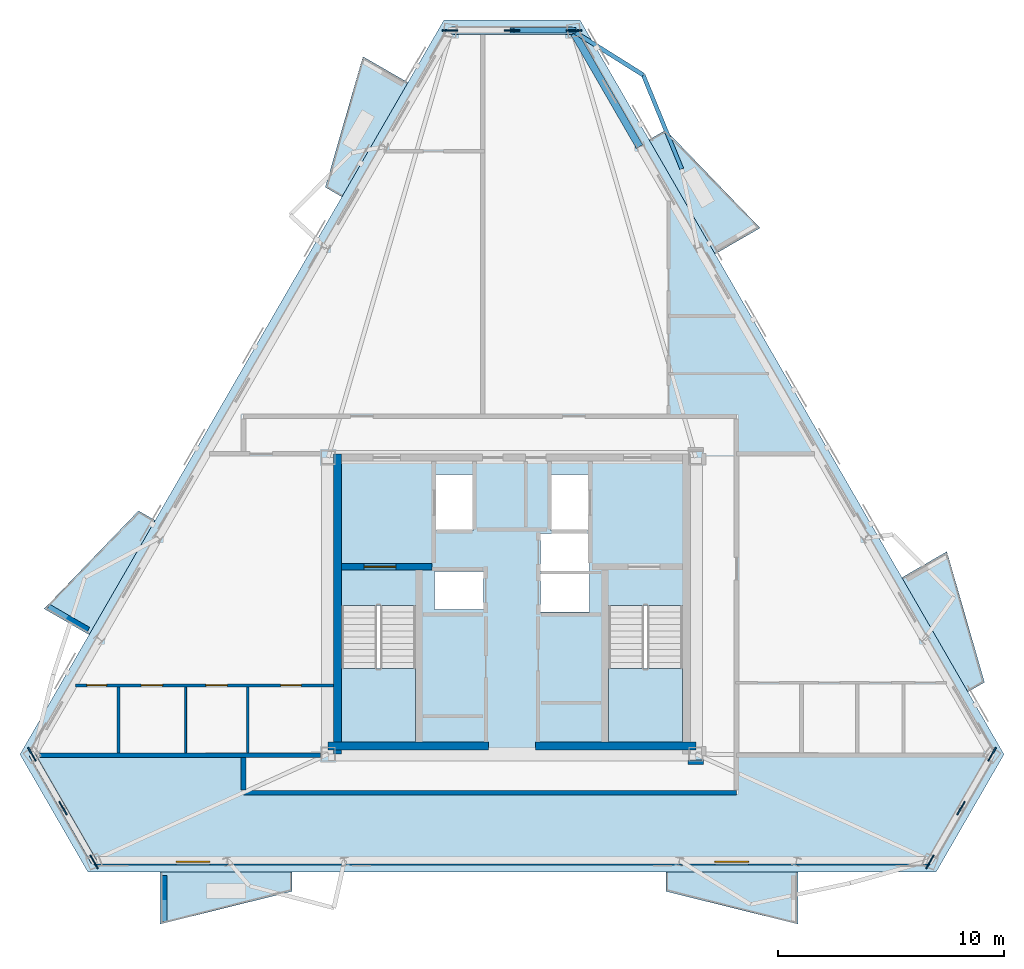
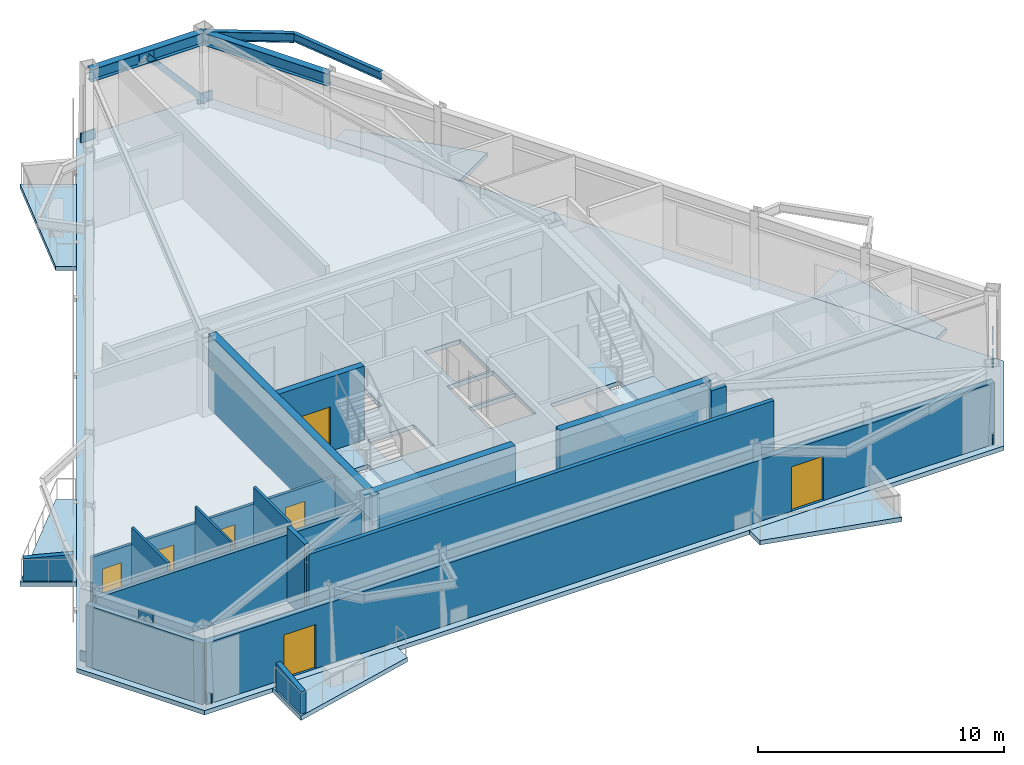
# One storey, part 2 of 9: 16 walls, 9 plates, 9 slabs, 7 doors, 4 beams, 1 member, 7 openings, 2 elements without a shape of their own.
"""IFC4 building model written with IfcOpenShell, lengths in metres."""

import ifcopenshell
import ifcopenshell.guid

model = None  # the IFC model being written
_history = None  # IfcOwnerHistory: only IFC2X3 demands one
_inside = {}  # id of a spatial element -> (the spatial element, [elements in it])
_under = {}  # id of a project, library or spatial element -> (it, [spatial elements below it])
_declared = {}  # id of a project -> (the project, [libraries it declares])
_typed = {}  # id of a type object -> (the type object, [elements of that type])
_made_of = {}  # id of a material, layer set ... -> (it, [elements and type objects made of it])


def new_model(schema):
    """Start an empty IFC model of exactly this schema.

    Asked for "IFC4X3", IfcOpenShell would pick the latest addendum, in which some entities
    have other attributes; the version numbers below select the first issue.
    IFC2X3 requires an IfcOwnerHistory on every rooted entity: one is made here for all.
    """
    global model, _history
    if schema == "IFC4X3":
        model = ifcopenshell.file(schema_version=(4, 3, 0, 0))
    else:
        model = ifcopenshell.file(schema=schema)
    _inside.clear()
    _under.clear()
    _declared.clear()
    _typed.clear()
    _made_of.clear()
    _history = None
    if model.schema == "IFC2X3":
        org = make("IfcOrganization", Name="unknown")
        user = make(
            "IfcPersonAndOrganization",
            ThePerson=make("IfcPerson", FamilyName="unknown"),
            TheOrganization=org,
        )
        app = make(
            "IfcApplication",
            ApplicationDeveloper=org,
            Version="unknown",
            ApplicationFullName="unknown",
            ApplicationIdentifier="unknown",
        )
        _history = make(
            "IfcOwnerHistory",
            OwningUser=user,
            OwningApplication=app,
            ChangeAction="ADDED",
            CreationDate=0,
        )
    return model


def make(cls, **values):
    """One entity of the class cls with the attributes given. An attribute that is None is left unset."""
    return model.create_entity(
        cls, **{name: value for name, value in values.items() if value is not None}
    )


def rooted(cls, **values):
    """An entity with a GlobalId (a new one), such as an element, a storey or a relation."""
    return make(cls, GlobalId=ifcopenshell.guid.new(), OwnerHistory=_history, **values)


def si_unit(unit_type, name, prefix=None):
    """IfcSIUnit, for example si_unit("LENGTHUNIT", "METRE", prefix="MILLI")."""
    return make("IfcSIUnit", UnitType=unit_type, Prefix=prefix, Name=name)


def assignment(units):
    """IfcUnitAssignment: the units of a project."""
    return None if units is None else make("IfcUnitAssignment", Units=units)


def point(xyz):
    """IfcCartesianPoint."""
    return None if xyz is None else make("IfcCartesianPoint", Coordinates=xyz)


def direction(xyz):
    """IfcDirection."""
    return None if xyz is None else make("IfcDirection", DirectionRatios=xyz)


def frame(location, z_axis=None, x_axis=None):
    """IfcAxis2Placement3D, a coordinate frame: its origin and axes. An axis left out is left unset."""
    return make(
        "IfcAxis2Placement3D",
        Location=point(location),
        Axis=direction(z_axis),
        RefDirection=direction(x_axis),
    )


def frame_2d(location, x_axis=None):
    """IfcAxis2Placement2D, a coordinate frame in the plane: its origin and x axis."""
    return make(
        "IfcAxis2Placement2D", Location=point(location), RefDirection=direction(x_axis)
    )


def origin():
    """The frame at (0, 0, 0) with its axes left unset."""
    return frame((0.0, 0.0, 0.0))


def origin_2d():
    """The frame at (0, 0) in the plane with its x axis left unset."""
    return frame_2d((0.0, 0.0))


def place(relative_to, where):
    """IfcLocalPlacement: puts the frame where relative to a parent placement (None: the world)."""
    return make(
        "IfcLocalPlacement", PlacementRelTo=relative_to, RelativePlacement=where
    )


def context(
    kind, dimensions, precision=None, world=None, true_north=None, identifier=None
):
    """IfcGeometricRepresentationContext, for example the 3D "Model" context."""
    return make(
        "IfcGeometricRepresentationContext",
        ContextIdentifier=identifier,
        ContextType=kind,
        CoordinateSpaceDimension=dimensions,
        Precision=precision,
        WorldCoordinateSystem=world,
        TrueNorth=true_north,
    )


def subcontext(parent, identifier, kind, view, scale=None):
    """IfcGeometricRepresentationSubContext, for example "Body" below "Model"."""
    return make(
        "IfcGeometricRepresentationSubContext",
        ContextIdentifier=identifier,
        ContextType=kind,
        ParentContext=parent,
        TargetScale=scale,
        TargetView=view,
    )


def project(units=None, contexts=None):
    """IfcProject with its units and contexts."""
    return rooted(
        "IfcProject",
        Name="project",
        RepresentationContexts=contexts,
        UnitsInContext=assignment(units),
    )


def spatial(cls, under=None, at=None, **own):
    """A site, building, storey or space (cls), placed at a placement, below another one or the project."""
    s = rooted(cls, ObjectPlacement=at, **own)
    if under is not None:
        _under.setdefault(under.id(), (under, []))[1].append(s)
    return s


def polyline(points):
    """IfcPolyline through the points."""
    return make("IfcPolyline", Points=[point(p) for p in points])


def profile(cls, at=None, kind="AREA", **sizes):
    """A parametric profile (cls). Its sizes go by their IFC names, for example OverallWidth=200.0."""
    return make(cls, ProfileType=kind, Position=at, **sizes)


def rectangle(**sizes):
    """IfcRectangleProfileDef."""
    return profile("IfcRectangleProfileDef", **sizes)


def hollow_rectangle(**sizes):
    """IfcRectangleHollowProfileDef."""
    return profile("IfcRectangleHollowProfileDef", **sizes)


def i_section(**sizes):
    """IfcIShapeProfileDef."""
    return profile("IfcIShapeProfileDef", **sizes)


def outline(outer, holes=None, kind="AREA"):
    """IfcArbitraryClosedProfileDef: a profile drawn as a closed curve; with holes, ...WithVoids."""
    if holes is None:
        return make("IfcArbitraryClosedProfileDef", ProfileType=kind, OuterCurve=outer)
    return make(
        "IfcArbitraryProfileDefWithVoids",
        ProfileType=kind,
        OuterCurve=outer,
        InnerCurves=holes,
    )


def extrude(swept, where, along, depth):
    """IfcExtrudedAreaSolid: the profile swept, set in the frame where, extruded along a direction by depth."""
    return make(
        "IfcExtrudedAreaSolid",
        SweptArea=swept,
        Position=where,
        ExtrudedDirection=direction(along),
        Depth=depth,
    )


def shape(context_of_items, identifier, shape_type, items):
    """IfcShapeRepresentation: the items that make up one representation, for example the "Body"."""
    return make(
        "IfcShapeRepresentation",
        ContextOfItems=context_of_items,
        RepresentationIdentifier=identifier,
        RepresentationType=shape_type,
        Items=items,
    )


def material(Name=None, Category=None):
    """IfcMaterial."""
    return make("IfcMaterial", Name=Name, Category=Category)


def layer(
    of_material, thickness, ventilated=None, Name=None, Category=None, Priority=None
):
    """IfcMaterialLayer: one layer of a wall or slab, of a material (None: an air gap)."""
    return make(
        "IfcMaterialLayer",
        Material=of_material,
        LayerThickness=thickness,
        IsVentilated=ventilated,
        Name=Name,
        Category=Category,
        Priority=Priority,
    )


def layer_set(layers, Name=None):
    """IfcMaterialLayerSet."""
    return make("IfcMaterialLayerSet", MaterialLayers=layers, LayerSetName=Name)


def material_profile(
    of_material, cross_section, Name=None, Category=None, Priority=None
):
    """IfcMaterialProfile: a cross section and its material."""
    return make(
        "IfcMaterialProfile",
        Name=Name,
        Material=of_material,
        Profile=cross_section,
        Priority=Priority,
        Category=Category,
    )


def profile_set(profiles, Name=None, composite=None):
    """IfcMaterialProfileSet."""
    return make(
        "IfcMaterialProfileSet",
        Name=Name,
        MaterialProfiles=profiles,
        CompositeProfile=composite,
    )


def made_of(thing, what):
    """Note that an element or type object is made of a material, layer set ...; save() writes the relation."""
    if what is not None:
        _made_of.setdefault(what.id(), (what, []))[1].append(thing)
    return thing


def type_object(cls, material=None, **own):
    """A type object (cls), such as IfcWallType, which elements share."""
    return made_of(rooted(cls, **own), material)


def element(
    cls,
    number,
    at=None,
    inside=None,
    cuts=None,
    type_object=None,
    material=None,
    context=None,
    identifier="Body",
    shape_type=None,
    held_by="IfcProductDefinitionShape",
    body=None,
    shapes=None,
    **own,
):
    """One element of the class cls, such as IfcWall. Its Tag is "e" and its number.

    at: its placement. inside: the storey or other place that contains it. cuts: it is an
    opening in that element (IfcRelVoidsElement). A single representation is given by context,
    identifier, shape_type and body (its items); several are given by shapes. held_by: the class
    of the entity that holds the representations. save() writes the other relations.
    """
    e = rooted(cls, Tag="e%d" % number, ObjectPlacement=at, **own)
    if body is not None:
        shapes = [shape(context, identifier, shape_type, body)]
    if shapes is not None:
        e.Representation = make(held_by, Representations=shapes)
    if inside is not None:
        _inside.setdefault(inside.id(), (inside, []))[1].append(e)
    if cuts is not None:
        rooted(
            "IfcRelVoidsElement", RelatingBuildingElement=cuts, RelatedOpeningElement=e
        )
    if type_object is not None:
        _typed.setdefault(type_object.id(), (type_object, []))[1].append(e)
    return made_of(e, material)


def fill(opening, filler):
    """IfcRelFillsElement: the door or window that sits in an opening."""
    return rooted(
        "IfcRelFillsElement",
        RelatingOpeningElement=opening,
        RelatedBuildingElement=filler,
    )


def aggregate(whole, parts):
    """IfcRelAggregates: a whole, such as a stair, and the parts it consists of."""
    return rooted("IfcRelAggregates", RelatingObject=whole, RelatedObjects=parts)


def save(model, path):
    """Write the relations noted so far, then the file.

    IfcRelAggregates (storeys below a building ...), IfcRelContainedInSpatialStructure (elements
    in a storey), IfcRelDefinesByType, IfcRelAssociatesMaterial and IfcRelDeclares: one each for
    every whole, place, type object, material and project.
    """
    for whole, parts in _under.values():
        aggregate(whole, parts)
    for where, things in _inside.values():
        rooted(
            "IfcRelContainedInSpatialStructure",
            RelatedElements=things,
            RelatingStructure=where,
        )
    for kind, things in _typed.values():
        rooted("IfcRelDefinesByType", RelatedObjects=things, RelatingType=kind)
    for what, things in _made_of.values():
        rooted("IfcRelAssociatesMaterial", RelatedObjects=things, RelatingMaterial=what)
    for by, libraries in _declared.values():
        rooted("IfcRelDeclares", RelatingContext=by, RelatedDefinitions=libraries)
    model.write(path)


model = new_model("IFC4")

# Units and contexts
model_context = context("Model", 3, precision=1e-05, world=origin(), true_north=direction((0.0, 1.0)))
body_context = subcontext(model_context, "Body", "Model", "MODEL_VIEW")
ifc_project = project(units=[si_unit("LENGTHUNIT", "METRE"), si_unit("AREAUNIT", "SQUARE_METRE"), si_unit("VOLUMEUNIT", "CUBIC_METRE"), si_unit("PLANEANGLEUNIT", "RADIAN"), si_unit("MASSUNIT", "GRAM", prefix="KILO")], contexts=[model_context])

# Site, building, storey
site_placement = place(None, origin())
site = spatial("IfcSite", under=ifc_project, at=site_placement, CompositionType="ELEMENT")
building_placement = place(site_placement, origin())
building = spatial("IfcBuilding", under=site, at=building_placement, Name="Oramaril Tower", CompositionType="ELEMENT")
storey_placement = place(building_placement, frame((0.0, 0.0, 249.89990234375)))
storey = spatial("IfcBuildingStorey", under=building, at=storey_placement, Name="L66", CompositionType="ELEMENT", Elevation=249.89990234375)

# Beams
ifc_material_1 = material(Name="Steel ASTM A572 Gr 50", Category="steel")
ifc_material_profile_1 = material_profile(ifc_material_1, i_section(OverallWidth=0.19091796875, OverallDepth=0.45703125, WebThickness=0.009033203125, FlangeThickness=0.014404296875, at=origin_2d()), Name="W18X50")
ifc_profile_set_1 = profile_set([ifc_material_profile_1], Name="Steel ASTM A572 Gr 50")
beam_type_1 = type_object("IfcBeamType", Name="BT-BB1", PredefinedType="BEAM", material=ifc_profile_set_1)
beam_1_placement = place(storey_placement, frame((40.18212890625, 43.069580078125, 3.45166015625), z_axis=(0.846798752878, -0.531913406604, 0.0), x_axis=(0.531913406604, 0.846798752878, 0.0)))
element("IfcBeam", 1, at=beam_1_placement, inside=storey, type_object=beam_type_1, Name="L66 Balcony Column-Framed Cantilever 04.2", PredefinedType="BEAM", context=body_context, shape_type="SweptSolid", body=[
    extrude(i_section(OverallWidth=0.19091796875, OverallDepth=0.45703125, WebThickness=0.009033203125, FlangeThickness=0.014404296875, at=origin_2d()), origin(), (0.0, 0.0, 1.0), 3.699951171875),
])
ifc_material_2 = material(Name="Steel ASTM A572 Gr 50", Category="steel")
ifc_material_profile_2 = material_profile(ifc_material_2, i_section(OverallWidth=0.177978515625, OverallDepth=0.404052734375, WebThickness=0.007568359375, FlangeThickness=0.010986328125, at=origin_2d()), Name="W16X36")
ifc_profile_set_2 = profile_set([ifc_material_profile_2], Name="Steel ASTM A572 Gr 50")
beam_type_2 = type_object("IfcBeamType", Name="BT-SB1", PredefinedType="BEAM", material=ifc_profile_set_2)
beam_2_placement = place(storey_placement, frame((45.02490234375, 36.93798828125, 3.47802734375), z_axis=(-0.379857521813, 0.925045005998, 0.0), x_axis=(-0.925045005998, -0.379857521813, 0.0)))
element("IfcBeam", 2, at=beam_2_placement, inside=storey, type_object=beam_type_2, Name="L66 Balcony Edge Tie Beam 04", PredefinedType="BEAM", context=body_context, shape_type="SweptSolid", body=[
    extrude(i_section(OverallWidth=0.177978515625, OverallDepth=0.404052734375, WebThickness=0.007568359375, FlangeThickness=0.010986328125, at=origin_2d()), origin(), (0.0, 0.0, 1.0), 4.5009765625),
])
ifc_material_3 = material(Name="Steel ASTM A572 Gr 50", Category="steel")
ifc_material_profile_3 = material_profile(ifc_material_3, i_section(OverallWidth=0.324951171875, OverallDepth=0.612060546875, WebThickness=0.0126953125, FlangeThickness=0.01904296875, at=origin_2d()), Name="W24X104")
ifc_profile_set_3 = profile_set([ifc_material_profile_3], Name="Steel ASTM A572 Gr 50")
beam_type_3 = type_object("IfcBeamType", Name="BT-SP5", PredefinedType="SPANDREL", material=ifc_profile_set_3)
beam_3_placement = place(storey_placement, frame((43.150390625, 37.9287109375, 3.3740234375), z_axis=(-0.500022682888, 0.866012307417, 0.0), x_axis=(-0.866012307417, -0.500022682888, 0.0)))
element("IfcBeam", 3, at=beam_3_placement, inside=storey, type_object=beam_type_3, Name="L66 Perimeter Spandrel 12", PredefinedType="SPANDREL", context=body_context, shape_type="SweptSolid", body=[
    extrude(i_section(OverallWidth=0.324951171875, OverallDepth=0.612060546875, WebThickness=0.0126953125, FlangeThickness=0.01904296875, at=origin_2d()), origin(), (0.0, 0.0, 1.0), 5.936279296875),
])
beam_4_placement = place(storey_placement, frame((40.18212890625, 43.069580078125, 3.3740234375), z_axis=(-1.0, 0.0, 0.0), x_axis=(0.0, -1.0, 0.0)))
element("IfcBeam", 4, at=beam_4_placement, inside=storey, type_object=beam_type_3, Name="L66 Perimeter Spandrel 13", PredefinedType="SPANDREL", context=body_context, shape_type="SweptSolid", body=[
    extrude(i_section(OverallWidth=0.324951171875, OverallDepth=0.612060546875, WebThickness=0.0126953125, FlangeThickness=0.01904296875, at=origin_2d()), origin(), (0.0, 0.0, 1.0), 5.3642578125),
])

# Member
ifc_material_4 = material(Name="Steel ASTM A572 Gr 50", Category="steel")
ifc_material_profile_4 = material_profile(ifc_material_4, hollow_rectangle(XDim=0.25, YDim=0.25, WallThickness=0.011962890625, at=origin_2d()), Name="HSS250X250X12")
ifc_profile_set_4 = profile_set([ifc_material_profile_4], Name="Steel ASTM A572 Gr 50")
member_type = type_object("IfcMemberType", Name="MT-KB3", PredefinedType="BRACE", material=ifc_profile_set_4)
member_placement = place(storey_placement, frame((40.248291015625, 43.0791015625, 0.18017578125), z_axis=(-0.652255076681, 0.0, 0.757999548116), x_axis=(0.0, -1.0, 0.0)))
element("IfcMember", 5, at=member_placement, inside=storey, type_object=member_type, Name="L66 Perimeter Chevron Brace KB-3A", PredefinedType="BRACE", context=body_context, shape_type="SweptSolid", body=[
    extrude(hollow_rectangle(XDim=0.25, YDim=0.25, WallThickness=0.011962890625, at=origin_2d()), origin(), (0.0, 0.0, 1.0), 4.213623046875),
])

# Plates
ifc_material_5 = material(Name="Steel ASTM A572 Gr 50", Category="steel")
ifc_layer_1 = layer(ifc_material_5, 0.06005859375)
ifc_layer_set_1 = layer_set([ifc_layer_1], Name="PLT-G60")
plate_type = type_object("IfcPlateType", Name="PLT-G60", PredefinedType="USERDEFINED", material=ifc_layer_set_1)
for number, where, z_axis, x_axis, name in (
    (6, (17.599609375, 8.610595703125, 3.134033203125), (0.0, 0.0, 1.0), (0.500001511499, -0.866024531118, 0.0), "L66 Chevron Brace Gusset Plate BN-1"),
    (7, (16.2255859375, 10.990478515625, 0.10009765625), (0.0, 0.0, 1.0), (0.500001511499, -0.866024531118, 0.0), "L66 Chevron Brace Gusset Plate BN-1"),
    (8, (18.973876953125, 6.23046875, 0.10009765625), (0.0, 0.0, 1.0), (0.500001511499, -0.866024531118, 0.0), "L66 Chevron Brace Gusset Plate BN-1"),
    (9, (57.400390625, 8.610595703125, 3.134033203125), (0.0, 0.0, 1.0), (0.500001511499, 0.866024531118, 0.0), "L66 Chevron Brace Gusset Plate BN-1"),
    (10, (56.026123046875, 6.23046875, 0.10009765625), (0.0, 0.0, 1.0), (0.500001511499, 0.866024531118, 0.0), "L66 Chevron Brace Gusset Plate BN-1"),
    (11, (58.7744140625, 10.990478515625, 0.10009765625), (0.0, 0.0, 1.0), (0.500001511499, 0.866024531118, 0.0), "L66 Chevron Brace Gusset Plate BN-1"),
    (12, (37.5, 43.0791015625, 3.134033203125), (0.0, 0.0, 1.0), (-1.0, 0.0, 0.0), "L66 Chevron Brace Gusset Plate BN-1"),
    (13, (40.248291015625, 43.0791015625, 0.10009765625), (0.0, 0.0, 1.0), (-1.0, 0.0, 0.0), "L66 Chevron Brace Gusset Plate BN-1"),
    (14, (34.751708984375, 43.0791015625, 0.10009765625), (0.0, 0.0, 1.0), (-1.0, 0.0, 0.0), "L66 Chevron Brace Gusset Plate BN-1"),
):
    element("IfcPlate", number, at=place(storey_placement, frame(where, z_axis=z_axis, x_axis=x_axis)), inside=storey, type_object=plate_type, Name=name, ObjectType="GUSSET", PredefinedType="USERDEFINED", context=body_context, shape_type="SweptSolid", body=[
        extrude(rectangle(XDim=0.679931640625, YDim=0.06005859375, at=origin_2d()), origin(), (0.0, 0.0, 1.0), 0.47998046875),
    ])

# Slabs
ifc_material_6 = material(Name="Concrete C40/50", Category="concrete")
ifc_layer_2 = layer(ifc_material_6, 0.199951171875)
ifc_layer_set_2 = layer_set([ifc_layer_2], Name="SLT-BAL20")
slab_type_1 = type_object("IfcSlabType", Name="SLT-BAL20", PredefinedType="FLOOR", material=ifc_layer_set_2)
slab_1_placement = place(storey_placement, frame((0.0, 0.0, -0.219970703125)))
element("IfcSlab", 15, at=slab_1_placement, inside=storey, type_object=slab_type_1, Name="L66 Cantilevered Balcony Slab L66-BAL-S2", PredefinedType="FLOOR", context=body_context, shape_type="SweptSolid", body=[
    extrude(outline(polyline([(44.31689453125, 5.7724609375), (50.166748046875, 5.7724609375), (50.166748046875, 3.470458984375), (44.31689453125, 4.92041015625), (44.31689453125, 5.7724609375)])), origin(), (0.0, 0.0, 1.0), 0.219970703125),
])
slab_2_placement = place(storey_placement, frame((0.0, 0.0, -0.219970703125)))
element("IfcSlab", 16, at=slab_2_placement, inside=storey, type_object=slab_type_1, Name="L66 Cantilevered Balcony Slab L66-BAL-NE1", PredefinedType="FLOOR", context=body_context, shape_type="SweptSolid", body=[
    extrude(outline(polyline([(57.703857421875, 13.7607421875), (54.77880859375, 18.826904296875), (56.7724609375, 19.97802734375), (58.441650390625, 14.186767578125), (57.703857421875, 13.7607421875)])), origin(), (0.0, 0.0, 1.0), 0.219970703125),
])
slab_3_placement = place(storey_placement, frame((0.0, 0.0, -0.219970703125)))
element("IfcSlab", 17, at=slab_3_placement, inside=storey, type_object=slab_type_1, Name="L66 Cantilevered Balcony Slab L66-BAL-NW2", PredefinedType="FLOOR", context=body_context, shape_type="SweptSolid", body=[
    extrude(outline(polyline([(21.68359375, 21.360107421875), (18.758544921875, 16.2939453125), (16.764892578125, 17.44482421875), (20.94580078125, 21.7861328125), (21.68359375, 21.360107421875)])), origin(), (0.0, 0.0, 1.0), 0.219970703125),
])
ifc_material_7 = material(Name="Concrete C50/60", Category="concrete")
ifc_layer_3 = layer(ifc_material_7, 0.219970703125)
ifc_layer_set_3 = layer_set([ifc_layer_3], Name="SLT-FLR22")
slab_type_2 = type_object("IfcSlabType", Name="SLT-FLR22", PredefinedType="FLOOR", material=ifc_layer_set_3)
slab_4_placement = place(storey_placement, frame((0.0, 0.0, -0.219970703125)))
element("IfcSlab", 18, at=slab_4_placement, inside=storey, type_object=slab_type_2, Name="L66 Structural Floor Slab", PredefinedType="FLOOR", context=body_context, shape_type="SweptSolid", body=[
    extrude(outline(polyline([(15.6943359375, 10.990478515625), (18.708251953125, 5.7705078125), (56.291748046875, 5.7705078125), (59.3056640625, 10.990478515625), (40.513916015625, 43.5390625), (34.486083984375, 43.5390625), (15.6943359375, 10.990478515625)]), holes=[polyline([(29.949951171875, 17.58935546875), (29.949951171875, 11.550048828125), (33.219970703125, 11.550048828125), (33.219970703125, 17.58935546875), (29.949951171875, 17.58935546875)]), polyline([(41.780029296875, 17.58935546875), (41.780029296875, 11.550048828125), (45.050048828125, 11.550048828125), (45.050048828125, 17.58935546875), (41.780029296875, 17.58935546875)]), polyline([(34.110107421875, 20.909912109375), (35.7900390625, 20.909912109375), (35.7900390625, 23.389892578125), (34.110107421875, 23.389892578125), (34.110107421875, 20.909912109375)]), polyline([(39.2099609375, 20.909912109375), (40.889892578125, 20.909912109375), (40.889892578125, 23.389892578125), (39.2099609375, 23.389892578125), (39.2099609375, 20.909912109375)]), polyline([(34.06005859375, 17.409912109375), (36.239990234375, 17.409912109375), (36.239990234375, 19.090087890625), (34.06005859375, 19.090087890625), (34.06005859375, 17.409912109375)]), polyline([(38.760009765625, 17.31005859375), (40.93994140625, 17.31005859375), (40.93994140625, 18.989990234375), (38.760009765625, 18.989990234375), (38.760009765625, 17.31005859375)]), polyline([(38.760009765625, 19.110107421875), (40.93994140625, 19.110107421875), (40.93994140625, 20.7900390625), (38.760009765625, 20.7900390625), (38.760009765625, 19.110107421875)])]), origin(), (0.0, 0.0, 1.0), 0.219970703125),
])

# Stair, slab
ifc_material_8 = material(Name="Concrete C50/60", Category="concrete")
stair_type = type_object("IfcStairType", Name="STT-DG-3900", PredefinedType="HALF_TURN_STAIR", material=ifc_material_8)
stair_1_placement = place(storey_placement, origin())
stair_1 = element("IfcStair", 19, at=stair_1_placement, inside=storey, type_object=stair_type, Name="L66 Protected PFP Exit Stair ST-1", PredefinedType="HALF_TURN_STAIR")
ifc_material_9 = material(Name="Concrete C50/60", Category="concrete")
ifc_layer_4 = layer(ifc_material_9, 0.199951171875)
ifc_layer_set_4 = layer_set([ifc_layer_4], Name="SLT-LND20")
slab_type_3 = type_object("IfcSlabType", Name="SLT-LND20", PredefinedType="LANDING", material=ifc_layer_set_4)
slab_5_placement = place(storey_placement, frame((0.0, 0.0, 1.75)))
slab_5 = element("IfcSlab", 20, at=slab_5_placement, type_object=slab_type_3, Name="ST-1 landing 1", PredefinedType="LANDING", context=body_context, shape_type="SweptSolid", body=[
    extrude(outline(polyline([(29.949951171875, 14.7900390625), (29.949951171875, 11.550048828125), (33.219970703125, 11.550048828125), (33.219970703125, 14.7900390625), (29.949951171875, 14.7900390625)])), origin(), (0.0, 0.0, 1.0), 0.2001953125),
])
aggregate(stair_1, [slab_5])

stair_2_placement = place(storey_placement, origin())
stair_2 = element("IfcStair", 21, at=stair_2_placement, inside=storey, type_object=stair_type, Name="L66 Protected PFP Exit Stair ST-2", PredefinedType="HALF_TURN_STAIR")
slab_6_placement = place(storey_placement, frame((0.0, 0.0, 1.75)))
slab_6 = element("IfcSlab", 22, at=slab_6_placement, type_object=slab_type_3, Name="ST-2 landing 1", PredefinedType="LANDING", context=body_context, shape_type="SweptSolid", body=[
    extrude(outline(polyline([(41.780029296875, 14.7900390625), (41.780029296875, 11.550048828125), (45.050048828125, 11.550048828125), (45.050048828125, 14.7900390625), (41.780029296875, 14.7900390625)])), origin(), (0.0, 0.0, 1.0), 0.2001953125),
])
aggregate(stair_2, [slab_6])

# Slabs
ifc_material_10 = material(Name="Concrete C40/50", Category="concrete")
ifc_layer_5 = layer(ifc_material_10, 0.18994140625)
ifc_layer_set_5 = layer_set([ifc_layer_5], Name="SLT-PLN19")
slab_type_4 = type_object("IfcSlabType", Name="SLT-PLN19", PredefinedType="FLOOR", material=ifc_layer_set_5)
slab_7_placement = place(storey_placement, frame((0.0, 0.0, -0.219970703125)))
element("IfcSlab", 23, at=slab_7_placement, inside=storey, type_object=slab_type_4, Name="L66 Tree Planter Balcony Slab L66-BAL-S1", PredefinedType="FLOOR", context=body_context, shape_type="SweptSolid", body=[
    extrude(outline(polyline([(21.908203125, 5.7724609375), (27.75830078125, 5.7724609375), (27.75830078125, 4.92041015625), (21.908203125, 3.470458984375), (21.908203125, 5.7724609375)])), origin(), (0.0, 0.0, 1.0), 0.219970703125),
])
slab_8_placement = place(storey_placement, frame((0.0, 0.0, -0.219970703125)))
element("IfcSlab", 24, at=slab_8_placement, inside=storey, type_object=slab_type_4, Name="L66 Tree Planter Balcony Slab L66-BAL-NE2", PredefinedType="FLOOR", context=body_context, shape_type="SweptSolid", body=[
    extrude(outline(polyline([(46.49951171875, 33.167236328125), (43.57470703125, 38.233642578125), (44.3125, 38.65966796875), (48.4931640625, 34.318359375), (46.49951171875, 33.167236328125)])), origin(), (0.0, 0.0, 1.0), 0.219970703125),
])
slab_9_placement = place(storey_placement, frame((0.0, 0.0, -0.219970703125)))
element("IfcSlab", 25, at=slab_9_placement, inside=storey, type_object=slab_type_4, Name="L66 Tree Planter Balcony Slab L66-BAL-NW1", PredefinedType="FLOOR", context=body_context, shape_type="SweptSolid", body=[
    extrude(outline(polyline([(32.887939453125, 40.7666015625), (29.962890625, 35.700439453125), (29.22509765625, 36.12646484375), (30.894287109375, 41.917724609375), (32.887939453125, 40.7666015625)])), origin(), (0.0, 0.0, 1.0), 0.219970703125),
])

# Wall
ifc_material_11 = material(Name="Warm Cream Limestone", Category="masonry")
ifc_layer_6 = layer(ifc_material_11, 0.2900390625)
ifc_layer_set_6 = layer_set([ifc_layer_6], Name="WT-EXT29")
wall_type_1 = type_object("IfcWallType", Name="WT-EXT29", PredefinedType="SOLIDWALL", material=ifc_layer_set_6)
wall_1_placement = place(storey_placement, frame((16.2255859375, 10.990478515625, 0.0), z_axis=(0.0, 0.0, 1.0), x_axis=(0.500013385357, -0.866017675607, 0.0)))
element("IfcWall", 26, at=wall_1_placement, inside=storey, type_object=wall_type_1, Name="L66 Tower Limestone Facade Wall 1M", PredefinedType="SOLIDWALL", context=body_context, shape_type="SweptSolid", body=[
    extrude(rectangle(XDim=5.496337890625, YDim=0.2900390625, at=frame_2d((2.748046875, 0.0))), origin(), (0.0, 0.0, 1.0), 3.05810546875),
])

# Wall, openings, doors
wall_2_placement = place(storey_placement, frame((18.973876953125, 6.23046875, 0.0), z_axis=(0.0, 0.0, 1.0), x_axis=(1.0, 0.0, 0.0)))
wall_2 = element("IfcWall", 27, at=wall_2_placement, inside=storey, type_object=wall_type_1, Name="L66 Tower Limestone Facade Wall 2M", PredefinedType="SOLIDWALL", context=body_context, shape_type="SweptSolid", body=[
    extrude(rectangle(XDim=37.05224609375, YDim=0.2900390625, at=frame_2d((18.526123046875, 0.0))), origin(), (0.0, 0.0, 1.0), 3.05810546875),
])
opening_1_placement = place(wall_2_placement, frame((3.639404296875, 0.0, 0.0)))
opening_1 = element("IfcOpeningElement", 28, at=opening_1_placement, cuts=wall_2, Name="Opening D-L66-BAL-S1", PredefinedType="OPENING", context=body_context, shape_type="SweptSolid", body=[
    extrude(rectangle(XDim=1.5, YDim=2.199951171875, at=frame_2d((0.75, 1.10009765625))), frame((0.0, 0.14501953125, 0.0), z_axis=(0.0, -1.0, 0.0), x_axis=(1.0, 0.0, 0.0)), (0.0, 0.0, 1.0), 0.2900390625),
])
opening_2_placement = place(wall_2_placement, frame((27.51806640625, 0.0, 0.0)))
opening_2 = element("IfcOpeningElement", 29, at=opening_2_placement, cuts=wall_2, Name="Opening D-L66-BAL-S2", PredefinedType="OPENING", context=body_context, shape_type="SweptSolid", body=[
    extrude(rectangle(XDim=1.5, YDim=2.199951171875, at=frame_2d((0.75, 1.10009765625))), frame((0.0, 0.14501953125, 0.0), z_axis=(0.0, -1.0, 0.0), x_axis=(1.0, 0.0, 0.0)), (0.0, 0.0, 1.0), 0.2900390625),
])
ifc_material_12 = material(Name="Anodised Aluminium 6063-T6", Category="aluminium")
door_type_1 = type_object("IfcDoorType", Name="DT-BAL", OperationType="NOTDEFINED", PredefinedType="DOOR", material=ifc_material_12)
door_1_placement = place(opening_1_placement, origin())
door_1 = element("IfcDoor", 30, at=door_1_placement, inside=storey, type_object=door_type_1, Name="L66 Balcony Glazed Door L66-BAL-S1", OperationType="SINGLE_SWING_LEFT", OverallHeight=2.199951171875, OverallWidth=1.5, PredefinedType="DOOR", context=body_context, shape_type="SweptSolid", body=[
    extrude(rectangle(XDim=1.5, YDim=2.199951171875, at=frame_2d((0.75, 1.10009765625))), frame((0.0, 0.02490234375, 0.0), z_axis=(0.0, -1.0, 0.0), x_axis=(1.0, 0.0, 0.0)), (0.0, 0.0, 1.0), 0.050048828125),
])
fill(opening_1, door_1)
door_2_placement = place(opening_2_placement, origin())
door_2 = element("IfcDoor", 31, at=door_2_placement, inside=storey, type_object=door_type_1, Name="L66 Balcony Glazed Door L66-BAL-S2", OperationType="SINGLE_SWING_RIGHT", OverallHeight=2.199951171875, OverallWidth=1.5, PredefinedType="DOOR", context=body_context, shape_type="SweptSolid", body=[
    extrude(rectangle(XDim=1.5, YDim=2.199951171875, at=frame_2d((0.75, 1.10009765625))), frame((0.0, 0.02490234375, 0.0), z_axis=(0.0, -1.0, 0.0), x_axis=(1.0, 0.0, 0.0)), (0.0, 0.0, 1.0), 0.050048828125),
])
fill(opening_2, door_2)

# Walls
ifc_material_13 = material(Name="Concrete C40/50", Category="concrete")
ifc_layer_7 = layer(ifc_material_13, 0.22998046875)
ifc_layer_set_7 = layer_set([ifc_layer_7], Name="WT-PRP23")
wall_type_2 = type_object("IfcWallType", Name="WT-PRP23", PredefinedType="PARAPET", material=ifc_layer_set_7)
for number, where, z_axis, x_axis, name in (
    (32, (22.088134765625, 5.632568359375, 0.0), (0.0, 0.0, 1.0), (0.0, -1.0, 0.0), "L66 Trapezoidal Balcony Frame Cheek L66-BAL-S1-L"),
    (33, (18.727294921875, 16.519775390625, 0.0), (0.0, 0.0, 1.0), (-0.866012356593, 0.500022597718, 0.0), "L66 Trapezoidal Balcony Frame Cheek L66-BAL-NW2-R"),
):
    element("IfcWall", number, at=place(storey_placement, frame(where, z_axis=z_axis, x_axis=x_axis)), inside=storey, type_object=wall_type_2, Name=name, PredefinedType="PARAPET", context=body_context, shape_type="SweptSolid", body=[
        extrude(outline(polyline([(0.0, 0.0), (2.0419921875, 0.0), (2.0419921875, 1.10009765625), (0.0, 1.320068359375), (0.0, 0.0)])), frame((0.0, 0.114990234375, 0.0), z_axis=(0.0, -1.0, 0.0), x_axis=(1.0, 0.0, 0.0)), (0.0, 0.0, 1.0), 0.22998046875),
    ])
ifc_material_14 = material(Name="Acoustic Gypsum Board Partition")
ifc_layer_8 = layer(ifc_material_14, 0.10009765625)
ifc_layer_set_8 = layer_set([ifc_layer_8], Name="WT-PT10")
wall_type_3 = type_object("IfcWallType", Name="WT-PT10", PredefinedType="PARTITIONING", material=ifc_layer_set_8)
wall_3_placement = place(storey_placement, frame((23.030029296875, 11.053955078125, 0.0), z_axis=(0.0, 0.0, 1.0), x_axis=(0.0, 1.0, 0.0)))
element("IfcWall", 34, at=wall_3_placement, inside=storey, type_object=wall_type_3, Name="L66 Interior Partition PT-10", PredefinedType="PARTITIONING", context=body_context, shape_type="SweptSolid", body=[
    extrude(rectangle(XDim=2.922119140625, YDim=0.10009765625, at=frame_2d((1.4609375, 0.0))), origin(), (0.0, 0.0, 1.0), 3.68017578125),
])
ifc_material_15 = material(Name="Acoustic Gypsum Board Partition")
ifc_layer_9 = layer(ifc_material_15, 0.1201171875)
ifc_layer_set_9 = layer_set([ifc_layer_9], Name="WT-PT12")
wall_type_4 = type_object("IfcWallType", Name="WT-PT12", PredefinedType="PARTITIONING", material=ifc_layer_set_9)
for number, where, z_axis, x_axis, name in (
    (35, (20.06005859375, 11.053955078125, 0.0), (0.0, 0.0, 1.0), (0.0, 1.0, 0.0), "L66 Interior Partition PT-12"),
    (36, (25.7900390625, 11.053955078125, 0.0), (0.0, 0.0, 1.0), (0.0, 1.0, 0.0), "L66 Interior Partition PT-12"),
):
    element("IfcWall", number, at=place(storey_placement, frame(where, z_axis=z_axis, x_axis=x_axis)), inside=storey, type_object=wall_type_4, Name=name, PredefinedType="PARTITIONING", context=body_context, shape_type="SweptSolid", body=[
        extrude(rectangle(XDim=2.922119140625, YDim=0.1201171875, at=frame_2d((1.4609375, 0.0))), origin(), (0.0, 0.0, 1.0), 3.68017578125),
    ])

# Wall, openings, doors
ifc_material_16 = material(Name="Acoustic Gypsum Board Partition")
ifc_layer_10 = layer(ifc_material_16, 0.139892578125)
ifc_layer_set_10 = layer_set([ifc_layer_10], Name="WT-PT14")
wall_type_5 = type_object("IfcWallType", Name="WT-PT14", PredefinedType="PARTITIONING", material=ifc_layer_set_10)
wall_4_placement = place(storey_placement, frame((18.1640625, 14.050048828125, 0.0), z_axis=(0.0, 0.0, 1.0), x_axis=(1.0, 0.0, 0.0)))
wall_4 = element("IfcWall", 37, at=wall_4_placement, inside=storey, type_object=wall_type_5, Name="L66 Interior Partition PT-14", PredefinedType="PARTITIONING", context=body_context, shape_type="SweptSolid", body=[
    extrude(rectangle(XDim=11.421875, YDim=0.139892578125, at=frame_2d((5.7109375, 0.0))), origin(), (0.0, 0.0, 1.0), 2.820068359375),
])
opening_3_placement = place(wall_4_placement, frame((0.4912109375, 0.0, 0.0)))
opening_3 = element("IfcOpeningElement", 38, at=opening_3_placement, cuts=wall_4, Name="Opening D-L66-01", PredefinedType="OPENING", context=body_context, shape_type="SweptSolid", body=[
    extrude(rectangle(XDim=0.8798828125, YDim=2.080078125, at=frame_2d((0.43994140625, 1.0400390625))), frame((0.0, 0.06982421875, 0.0), z_axis=(0.0, -1.0, 0.0), x_axis=(1.0, 0.0, 0.0)), (0.0, 0.0, 1.0), 0.139892578125),
])
opening_4_placement = place(wall_4_placement, frame((2.901611328125, 0.0, 0.0)))
opening_4 = element("IfcOpeningElement", 39, at=opening_4_placement, cuts=wall_4, Name="Opening D-L66-02", PredefinedType="OPENING", context=body_context, shape_type="SweptSolid", body=[
    extrude(rectangle(XDim=0.949951171875, YDim=2.10009765625, at=frame_2d((0.47509765625, 1.050048828125))), frame((0.0, 0.06982421875, 0.0), z_axis=(0.0, -1.0, 0.0), x_axis=(1.0, 0.0, 0.0)), (0.0, 0.0, 1.0), 0.139892578125),
])
opening_5_placement = place(wall_4_placement, frame((5.769775390625, 0.0, 0.0)))
opening_5 = element("IfcOpeningElement", 40, at=opening_5_placement, cuts=wall_4, Name="Opening D-L66-03", PredefinedType="OPENING", context=body_context, shape_type="SweptSolid", body=[
    extrude(rectangle(XDim=0.949951171875, YDim=2.10009765625, at=frame_2d((0.47509765625, 1.050048828125))), frame((0.0, 0.06982421875, 0.0), z_axis=(0.0, -1.0, 0.0), x_axis=(1.0, 0.0, 0.0)), (0.0, 0.0, 1.0), 0.139892578125),
])
opening_6_placement = place(wall_4_placement, frame((9.07666015625, 0.0, 0.0)))
opening_6 = element("IfcOpeningElement", 41, at=opening_6_placement, cuts=wall_4, Name="Opening D-L66-04", PredefinedType="OPENING", context=body_context, shape_type="SweptSolid", body=[
    extrude(rectangle(XDim=0.919921875, YDim=2.1201171875, at=frame_2d((0.4599609375, 1.06005859375))), frame((0.0, 0.06982421875, 0.0), z_axis=(0.0, -1.0, 0.0), x_axis=(1.0, 0.0, 0.0)), (0.0, 0.0, 1.0), 0.139892578125),
])
ifc_material_17 = material(Name="FSC Brazilian Freijo Hardwood", Category="wood")
door_type_2 = type_object("IfcDoorType", Name="DT-BATH", OperationType="NOTDEFINED", PredefinedType="DOOR", material=ifc_material_17)
door_3_placement = place(opening_3_placement, origin())
door_3 = element("IfcDoor", 42, at=door_3_placement, inside=storey, type_object=door_type_2, Name="L66 Flat L66-U2 Bathroom Door D-L66-01", OperationType="SINGLE_SWING_RIGHT", OverallHeight=2.080078125, OverallWidth=0.8798828125, PredefinedType="DOOR", context=body_context, shape_type="SweptSolid", body=[
    extrude(rectangle(XDim=0.8798828125, YDim=2.080078125, at=frame_2d((0.43994140625, 1.0400390625))), frame((0.0, 0.02490234375, 0.0), z_axis=(0.0, -1.0, 0.0), x_axis=(1.0, 0.0, 0.0)), (0.0, 0.0, 1.0), 0.050048828125),
])
fill(opening_3, door_3)
ifc_material_18 = material(Name="FSC Brazilian Freijo Hardwood", Category="wood")
door_type_3 = type_object("IfcDoorType", Name="DT-BED", OperationType="NOTDEFINED", PredefinedType="DOOR", material=ifc_material_18)
door_4_placement = place(opening_6_placement, origin())
door_4 = element("IfcDoor", 43, at=door_4_placement, inside=storey, type_object=door_type_3, Name="L66 Flat L66-U2 Master Bedroom Door D-L66-04", OperationType="SINGLE_SWING_LEFT", OverallHeight=2.1201171875, OverallWidth=0.919921875, PredefinedType="DOOR", context=body_context, shape_type="SweptSolid", body=[
    extrude(rectangle(XDim=0.919921875, YDim=2.1201171875, at=frame_2d((0.4599609375, 1.06005859375))), frame((0.0, 0.02490234375, 0.0), z_axis=(0.0, -1.0, 0.0), x_axis=(1.0, 0.0, 0.0)), (0.0, 0.0, 1.0), 0.050048828125),
])
fill(opening_6, door_4)
ifc_material_19 = material(Name="FSC Brazilian Freijo Hardwood", Category="wood")
door_type_4 = type_object("IfcDoorType", Name="DT-STDY", OperationType="NOTDEFINED", PredefinedType="DOOR", material=ifc_material_19)
door_5_placement = place(opening_4_placement, origin())
door_5 = element("IfcDoor", 44, at=door_5_placement, inside=storey, type_object=door_type_4, Name="L66 Flat L66-U2 Kitchen Door D-L66-02", OperationType="SINGLE_SWING_LEFT", OverallHeight=2.10009765625, OverallWidth=0.949951171875, PredefinedType="DOOR", context=body_context, shape_type="SweptSolid", body=[
    extrude(rectangle(XDim=0.949951171875, YDim=2.10009765625, at=frame_2d((0.47509765625, 1.050048828125))), frame((0.0, 0.02490234375, 0.0), z_axis=(0.0, -1.0, 0.0), x_axis=(1.0, 0.0, 0.0)), (0.0, 0.0, 1.0), 0.050048828125),
])
fill(opening_4, door_5)
door_6_placement = place(opening_5_placement, origin())
door_6 = element("IfcDoor", 45, at=door_6_placement, inside=storey, type_object=door_type_4, Name="L66 Flat L66-U2 Reading Study Door D-L66-03", OperationType="SINGLE_SWING_RIGHT", OverallHeight=2.10009765625, OverallWidth=0.949951171875, PredefinedType="DOOR", context=body_context, shape_type="SweptSolid", body=[
    extrude(rectangle(XDim=0.949951171875, YDim=2.10009765625, at=frame_2d((0.47509765625, 1.050048828125))), frame((0.0, 0.02490234375, 0.0), z_axis=(0.0, -1.0, 0.0), x_axis=(1.0, 0.0, 0.0)), (0.0, 0.0, 1.0), 0.050048828125),
])
fill(opening_5, door_6)

# Walls
ifc_material_20 = material(Name="Autoclaved Cellular Concrete Block", Category="concrete")
ifc_layer_11 = layer(ifc_material_20, 0.199951171875)
ifc_layer_set_11 = layer_set([ifc_layer_11], Name="WT-PT20")
wall_type_6 = type_object("IfcWallType", Name="WT-PT20", PredefinedType="PARTITIONING", material=ifc_layer_set_11)
wall_5_placement = place(storey_placement, frame((25.60009765625, 9.300048828125, 0.0), z_axis=(0.0, 0.0, 1.0), x_axis=(1.0, 0.0, 0.0)))
element("IfcWall", 46, at=wall_5_placement, inside=storey, type_object=wall_type_6, Name="L66 Interior Partition PT-20", PredefinedType="PARTITIONING", context=body_context, shape_type="SweptSolid", body=[
    extrude(rectangle(XDim=21.849853515625, YDim=0.199951171875, at=frame_2d((10.9248046875, 0.0))), origin(), (0.0, 0.0, 1.0), 3.26611328125),
])
wall_6_placement = place(storey_placement, frame((45.304931640625, 10.64990234375, 0.0), z_axis=(0.0, 0.0, 1.0), x_axis=(1.0, 0.0, 0.0)))
element("IfcWall", 47, at=wall_6_placement, inside=storey, type_object=wall_type_6, Name="L66 Interior Partition PT-20", PredefinedType="PARTITIONING", context=body_context, shape_type="SweptSolid", body=[
    extrude(rectangle(XDim=0.690185546875, YDim=0.199951171875, at=frame_2d((0.34521484375, 0.0))), origin(), (0.0, 0.0, 1.0), 3.68017578125),
])
wall_7_placement = place(storey_placement, frame((16.56103515625, 10.949951171875, 0.0), z_axis=(0.0, 0.0, 1.0), x_axis=(1.0, 0.0, 0.0)))
element("IfcWall", 48, at=wall_7_placement, inside=storey, type_object=wall_type_6, Name="L66 Interior Partition PT-20", PredefinedType="PARTITIONING", context=body_context, shape_type="SweptSolid", body=[
    extrude(rectangle(XDim=12.448974609375, YDim=0.199951171875, at=frame_2d((6.224609375, 0.0))), origin(), (0.0, 0.0, 1.0), 3.26611328125),
])
wall_8_placement = place(storey_placement, frame((25.60009765625, 9.404052734375, 0.0), z_axis=(0.0, 0.0, 1.0), x_axis=(0.0, 1.0, 0.0)))
element("IfcWall", 49, at=wall_8_placement, inside=storey, type_object=wall_type_6, Name="L66 Interior Partition PT-20", PredefinedType="PARTITIONING", context=body_context, shape_type="SweptSolid", body=[
    extrude(rectangle(XDim=1.44189453125, YDim=0.199951171875, at=frame_2d((0.720947265625, 0.0))), origin(), (0.0, 0.0, 1.0), 3.68017578125),
])

# Wall, opening, door
ifc_material_21 = material(Name="Concrete C50/60", Category="concrete")
ifc_layer_12 = layer(ifc_material_21, 0.300048828125)
ifc_layer_set_12 = layer_set([ifc_layer_12], Name="WT-SH30")
wall_type_7 = type_object("IfcWallType", Name="WT-SH30", PredefinedType="SHEAR", material=ifc_layer_set_12)
wall_9_placement = place(storey_placement, frame((29.93994140625, 19.31005859375, 0.0), z_axis=(0.0, 0.0, 1.0), x_axis=(1.0, 0.0, 0.0)))
wall_9 = element("IfcWall", 50, at=wall_9_placement, inside=storey, type_object=wall_type_7, Name="L66 Core Shear Wall CW-ST1N", PredefinedType="SHEAR", context=body_context, shape_type="SweptSolid", body=[
    extrude(rectangle(XDim=4.010009765625, YDim=0.300048828125, at=frame_2d((2.0048828125, 0.0))), origin(), (0.0, 0.0, 1.0), 3.68017578125),
])
opening_7_placement = place(wall_9_placement, frame((1.010009765625, 0.0, 0.0)))
opening_7 = element("IfcOpeningElement", 51, at=opening_7_placement, cuts=wall_9, Name="Opening D-L66-ST1", PredefinedType="OPENING", context=body_context, shape_type="SweptSolid", body=[
    extrude(rectangle(XDim=1.39990234375, YDim=2.199951171875, at=frame_2d((0.699951171875, 1.10009765625))), frame((0.0, 0.14990234375, 0.0), z_axis=(0.0, -1.0, 0.0), x_axis=(1.0, 0.0, 0.0)), (0.0, 0.0, 1.0), 0.300048828125),
])
ifc_material_22 = material(Name="Painted Galvanised Steel", Category="steel")
door_type_5 = type_object("IfcDoorType", Name="DT-ST", OperationType="NOTDEFINED", PredefinedType="DOOR", material=ifc_material_22)
door_7_placement = place(opening_7_placement, origin())
door_7 = element("IfcDoor", 52, at=door_7_placement, inside=storey, type_object=door_type_5, Name="L66 Protected Stair ST-1 Fire Door", OperationType="SINGLE_SWING_LEFT", OverallHeight=2.199951171875, OverallWidth=1.39990234375, PredefinedType="DOOR", context=body_context, shape_type="SweptSolid", body=[
    extrude(rectangle(XDim=1.39990234375, YDim=2.199951171875, at=frame_2d((0.699951171875, 1.10009765625))), frame((0.0, 0.02490234375, 0.0), z_axis=(0.0, -1.0, 0.0), x_axis=(1.0, 0.0, 0.0)), (0.0, 0.0, 1.0), 0.050048828125),
])
fill(opening_7, door_7)

# Walls
ifc_material_23 = material(Name="Concrete C50/60", Category="concrete")
ifc_layer_13 = layer(ifc_material_23, 0.35009765625)
ifc_layer_set_13 = layer_set([ifc_layer_13], Name="WT-SH35")
wall_type_8 = type_object("IfcWallType", Name="WT-SH35", PredefinedType="SHEAR", material=ifc_layer_set_13)
wall_10_placement = place(storey_placement, frame((29.764892578125, 11.0, 0.0), z_axis=(0.0, 0.0, 1.0), x_axis=(0.0, 1.0, 0.0)))
element("IfcWall", 53, at=wall_10_placement, inside=storey, type_object=wall_type_8, Name="L66 Core Shear Wall CW-W", PredefinedType="SHEAR", context=body_context, shape_type="SweptSolid", body=[
    extrude(rectangle(XDim=13.300048828125, YDim=0.35009765625, at=frame_2d((6.64990234375, 0.0))), origin(), (0.0, 0.0, 1.0), 3.68017578125),
])
for number, where, z_axis, x_axis, name in (
    (54, (29.35009765625, 11.364990234375, 0.0), (0.0, 0.0, 1.0), (1.0, 0.0, 0.0), "L66 Core Shear Wall CW-SW"),
    (55, (38.550048828125, 11.364990234375, 0.0), (0.0, 0.0, 1.0), (1.0, 0.0, 0.0), "L66 Core Shear Wall CW-SE"),
):
    element("IfcWall", number, at=place(storey_placement, frame(where, z_axis=z_axis, x_axis=x_axis)), inside=storey, type_object=wall_type_8, Name=name, PredefinedType="SHEAR", context=body_context, shape_type="SweptSolid", body=[
        extrude(rectangle(XDim=7.099853515625, YDim=0.35009765625, at=frame_2d((3.5498046875, 0.0))), origin(), (0.0, 0.0, 1.0), 3.68017578125),
    ])

save(model, "model.ifc")
